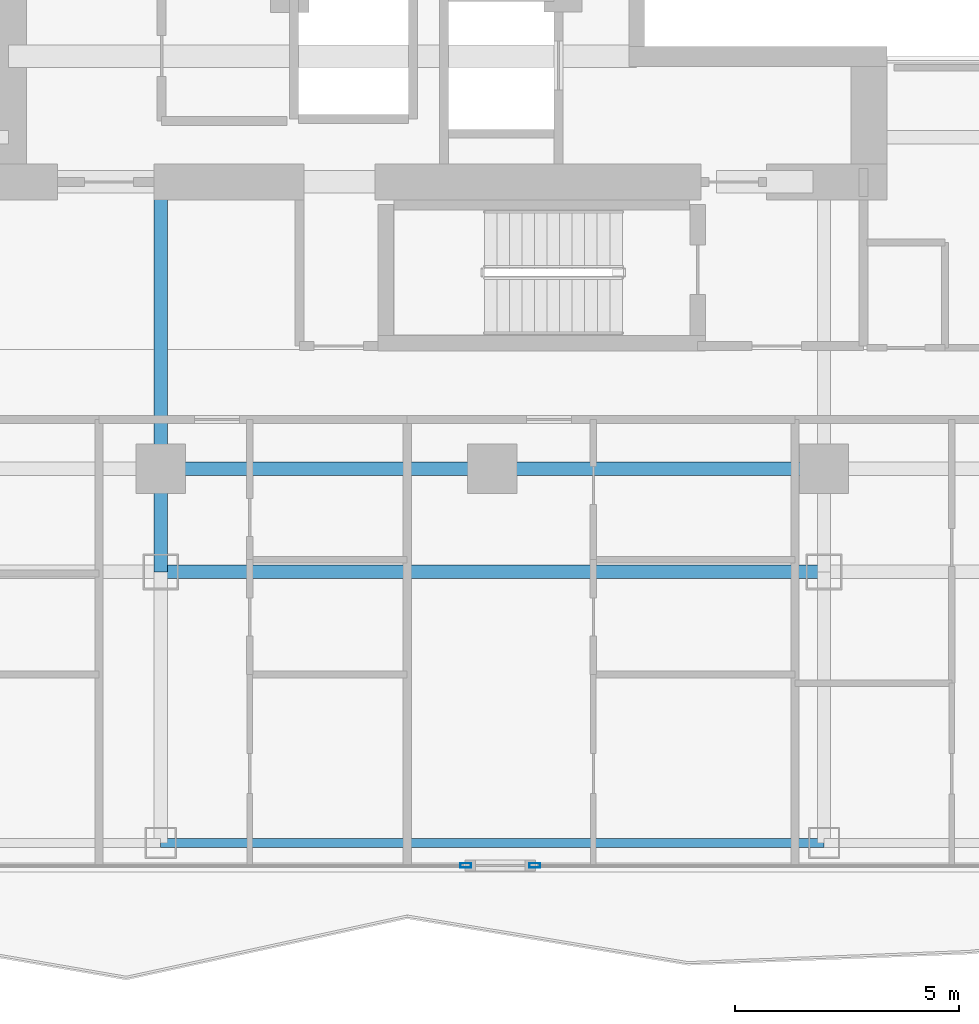
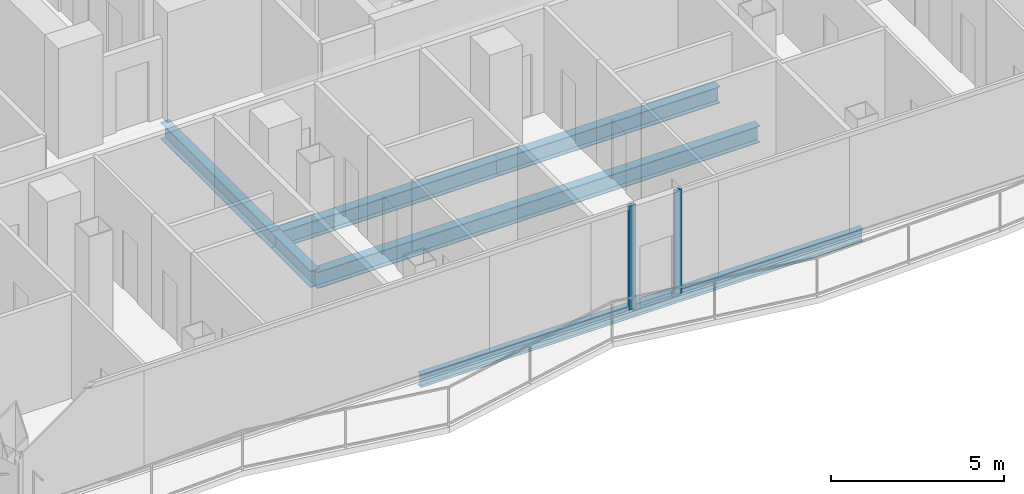
# One storey, part 4 of 25: 6 beams, 2 members, 2 elements without a shape of their own.
"""IFC4 building model written with IfcOpenShell, lengths in metres."""

import ifcopenshell
import ifcopenshell.guid

model = None  # the IFC model being written
_history = None  # IfcOwnerHistory: only IFC2X3 demands one
_inside = {}  # id of a spatial element -> (the spatial element, [elements in it])
_under = {}  # id of a project, library or spatial element -> (it, [spatial elements below it])
_declared = {}  # id of a project -> (the project, [libraries it declares])
_typed = {}  # id of a type object -> (the type object, [elements of that type])
_made_of = {}  # id of a material, layer set ... -> (it, [elements and type objects made of it])


def new_model(schema):
    """Start an empty IFC model of exactly this schema.

    Asked for "IFC4X3", IfcOpenShell would pick the latest addendum, in which some entities
    have other attributes; the version numbers below select the first issue.
    IFC2X3 requires an IfcOwnerHistory on every rooted entity: one is made here for all.
    """
    global model, _history
    if schema == "IFC4X3":
        model = ifcopenshell.file(schema_version=(4, 3, 0, 0))
    else:
        model = ifcopenshell.file(schema=schema)
    _inside.clear()
    _under.clear()
    _declared.clear()
    _typed.clear()
    _made_of.clear()
    _history = None
    if model.schema == "IFC2X3":
        org = make("IfcOrganization", Name="unknown")
        user = make(
            "IfcPersonAndOrganization",
            ThePerson=make("IfcPerson", FamilyName="unknown"),
            TheOrganization=org,
        )
        app = make(
            "IfcApplication",
            ApplicationDeveloper=org,
            Version="unknown",
            ApplicationFullName="unknown",
            ApplicationIdentifier="unknown",
        )
        _history = make(
            "IfcOwnerHistory",
            OwningUser=user,
            OwningApplication=app,
            ChangeAction="ADDED",
            CreationDate=0,
        )
    return model


def make(cls, **values):
    """One entity of the class cls with the attributes given. An attribute that is None is left unset."""
    return model.create_entity(
        cls, **{name: value for name, value in values.items() if value is not None}
    )


def rooted(cls, **values):
    """An entity with a GlobalId (a new one), such as an element, a storey or a relation."""
    return make(cls, GlobalId=ifcopenshell.guid.new(), OwnerHistory=_history, **values)


def si_unit(unit_type, name, prefix=None):
    """IfcSIUnit, for example si_unit("LENGTHUNIT", "METRE", prefix="MILLI")."""
    return make("IfcSIUnit", UnitType=unit_type, Prefix=prefix, Name=name)


def assignment(units):
    """IfcUnitAssignment: the units of a project."""
    return None if units is None else make("IfcUnitAssignment", Units=units)


def point(xyz):
    """IfcCartesianPoint."""
    return None if xyz is None else make("IfcCartesianPoint", Coordinates=xyz)


def direction(xyz):
    """IfcDirection."""
    return None if xyz is None else make("IfcDirection", DirectionRatios=xyz)


def frame(location, z_axis=None, x_axis=None):
    """IfcAxis2Placement3D, a coordinate frame: its origin and axes. An axis left out is left unset."""
    return make(
        "IfcAxis2Placement3D",
        Location=point(location),
        Axis=direction(z_axis),
        RefDirection=direction(x_axis),
    )


def frame_2d(location, x_axis=None):
    """IfcAxis2Placement2D, a coordinate frame in the plane: its origin and x axis."""
    return make(
        "IfcAxis2Placement2D", Location=point(location), RefDirection=direction(x_axis)
    )


def origin():
    """The frame at (0, 0, 0) with its axes left unset."""
    return frame((0.0, 0.0, 0.0))


def origin_2d():
    """The frame at (0, 0) in the plane with its x axis left unset."""
    return frame_2d((0.0, 0.0))


def place(relative_to, where):
    """IfcLocalPlacement: puts the frame where relative to a parent placement (None: the world)."""
    return make(
        "IfcLocalPlacement", PlacementRelTo=relative_to, RelativePlacement=where
    )


def context(
    kind, dimensions, precision=None, world=None, true_north=None, identifier=None
):
    """IfcGeometricRepresentationContext, for example the 3D "Model" context."""
    return make(
        "IfcGeometricRepresentationContext",
        ContextIdentifier=identifier,
        ContextType=kind,
        CoordinateSpaceDimension=dimensions,
        Precision=precision,
        WorldCoordinateSystem=world,
        TrueNorth=true_north,
    )


def subcontext(parent, identifier, kind, view, scale=None):
    """IfcGeometricRepresentationSubContext, for example "Body" below "Model"."""
    return make(
        "IfcGeometricRepresentationSubContext",
        ContextIdentifier=identifier,
        ContextType=kind,
        ParentContext=parent,
        TargetScale=scale,
        TargetView=view,
    )


def project(units=None, contexts=None):
    """IfcProject with its units and contexts."""
    return rooted(
        "IfcProject",
        Name="project",
        RepresentationContexts=contexts,
        UnitsInContext=assignment(units),
    )


def spatial(cls, under=None, at=None, **own):
    """A site, building, storey or space (cls), placed at a placement, below another one or the project."""
    s = rooted(cls, ObjectPlacement=at, **own)
    if under is not None:
        _under.setdefault(under.id(), (under, []))[1].append(s)
    return s


def profile(cls, at=None, kind="AREA", **sizes):
    """A parametric profile (cls). Its sizes go by their IFC names, for example OverallWidth=200.0."""
    return make(cls, ProfileType=kind, Position=at, **sizes)


def hollow_rectangle(**sizes):
    """IfcRectangleHollowProfileDef."""
    return profile("IfcRectangleHollowProfileDef", **sizes)


def i_section(**sizes):
    """IfcIShapeProfileDef."""
    return profile("IfcIShapeProfileDef", **sizes)


def extrude(swept, where, along, depth):
    """IfcExtrudedAreaSolid: the profile swept, set in the frame where, extruded along a direction by depth."""
    return make(
        "IfcExtrudedAreaSolid",
        SweptArea=swept,
        Position=where,
        ExtrudedDirection=direction(along),
        Depth=depth,
    )


def shape(context_of_items, identifier, shape_type, items):
    """IfcShapeRepresentation: the items that make up one representation, for example the "Body"."""
    return make(
        "IfcShapeRepresentation",
        ContextOfItems=context_of_items,
        RepresentationIdentifier=identifier,
        RepresentationType=shape_type,
        Items=items,
    )


def material(Name=None, Category=None):
    """IfcMaterial."""
    return make("IfcMaterial", Name=Name, Category=Category)


def layer(
    of_material, thickness, ventilated=None, Name=None, Category=None, Priority=None
):
    """IfcMaterialLayer: one layer of a wall or slab, of a material (None: an air gap)."""
    return make(
        "IfcMaterialLayer",
        Material=of_material,
        LayerThickness=thickness,
        IsVentilated=ventilated,
        Name=Name,
        Category=Category,
        Priority=Priority,
    )


def layer_set(layers, Name=None):
    """IfcMaterialLayerSet."""
    return make("IfcMaterialLayerSet", MaterialLayers=layers, LayerSetName=Name)


def material_profile(
    of_material, cross_section, Name=None, Category=None, Priority=None
):
    """IfcMaterialProfile: a cross section and its material."""
    return make(
        "IfcMaterialProfile",
        Name=Name,
        Material=of_material,
        Profile=cross_section,
        Priority=Priority,
        Category=Category,
    )


def profile_set(profiles, Name=None, composite=None):
    """IfcMaterialProfileSet."""
    return make(
        "IfcMaterialProfileSet",
        Name=Name,
        MaterialProfiles=profiles,
        CompositeProfile=composite,
    )


def made_of(thing, what):
    """Note that an element or type object is made of a material, layer set ...; save() writes the relation."""
    if what is not None:
        _made_of.setdefault(what.id(), (what, []))[1].append(thing)
    return thing


def type_object(cls, material=None, **own):
    """A type object (cls), such as IfcWallType, which elements share."""
    return made_of(rooted(cls, **own), material)


def element(
    cls,
    number,
    at=None,
    inside=None,
    cuts=None,
    type_object=None,
    material=None,
    context=None,
    identifier="Body",
    shape_type=None,
    held_by="IfcProductDefinitionShape",
    body=None,
    shapes=None,
    **own,
):
    """One element of the class cls, such as IfcWall. Its Tag is "e" and its number.

    at: its placement. inside: the storey or other place that contains it. cuts: it is an
    opening in that element (IfcRelVoidsElement). A single representation is given by context,
    identifier, shape_type and body (its items); several are given by shapes. held_by: the class
    of the entity that holds the representations. save() writes the other relations.
    """
    e = rooted(cls, Tag="e%d" % number, ObjectPlacement=at, **own)
    if body is not None:
        shapes = [shape(context, identifier, shape_type, body)]
    if shapes is not None:
        e.Representation = make(held_by, Representations=shapes)
    if inside is not None:
        _inside.setdefault(inside.id(), (inside, []))[1].append(e)
    if cuts is not None:
        rooted(
            "IfcRelVoidsElement", RelatingBuildingElement=cuts, RelatedOpeningElement=e
        )
    if type_object is not None:
        _typed.setdefault(type_object.id(), (type_object, []))[1].append(e)
    return made_of(e, material)


def aggregate(whole, parts):
    """IfcRelAggregates: a whole, such as a stair, and the parts it consists of."""
    return rooted("IfcRelAggregates", RelatingObject=whole, RelatedObjects=parts)


def save(model, path):
    """Write the relations noted so far, then the file.

    IfcRelAggregates (storeys below a building ...), IfcRelContainedInSpatialStructure (elements
    in a storey), IfcRelDefinesByType, IfcRelAssociatesMaterial and IfcRelDeclares: one each for
    every whole, place, type object, material and project.
    """
    for whole, parts in _under.values():
        aggregate(whole, parts)
    for where, things in _inside.values():
        rooted(
            "IfcRelContainedInSpatialStructure",
            RelatedElements=things,
            RelatingStructure=where,
        )
    for kind, things in _typed.values():
        rooted("IfcRelDefinesByType", RelatedObjects=things, RelatingType=kind)
    for what, things in _made_of.values():
        rooted("IfcRelAssociatesMaterial", RelatedObjects=things, RelatingMaterial=what)
    for by, libraries in _declared.values():
        rooted("IfcRelDeclares", RelatingContext=by, RelatedDefinitions=libraries)
    model.write(path)


model = new_model("IFC4")

# Units and contexts
model_context = context("Model", 3, precision=1e-05, world=origin(), true_north=direction((0.0, 1.0)))
body_context = subcontext(model_context, "Body", "Model", "MODEL_VIEW")
ifc_project = project(units=[si_unit("LENGTHUNIT", "METRE"), si_unit("AREAUNIT", "SQUARE_METRE"), si_unit("VOLUMEUNIT", "CUBIC_METRE"), si_unit("PLANEANGLEUNIT", "RADIAN"), si_unit("MASSUNIT", "GRAM", prefix="KILO")], contexts=[model_context])

# Site, building, storey
site_placement = place(None, origin())
site = spatial("IfcSite", under=ifc_project, at=site_placement, CompositionType="ELEMENT")
building_placement = place(site_placement, origin())
building = spatial("IfcBuilding", under=site, at=building_placement, Name="Khorvyn Point Tower", CompositionType="ELEMENT")
storey_placement = place(building_placement, frame((0.0, 0.0, 171.89990234375)))
storey = spatial("IfcBuildingStorey", under=building, at=storey_placement, Name="L42", CompositionType="ELEMENT", Elevation=171.89990234375)

# Curtain wall, member
ifc_material_1 = material(Name="Anodised aluminium 6063-T6 and laminated Low-E glass", Category="aluminium")
ifc_layer = layer(ifc_material_1, 0.18994140625)
ifc_layer_set = layer_set([ifc_layer], Name="Stick-Built Acoustic Curtain Wall CW-SYS-03")
curtain_wall_type = type_object("IfcCurtainWallType", Name="Stick-Built Acoustic Curtain Wall CW-SYS-03", PredefinedType="NOTDEFINED", material=ifc_layer_set)
curtain_wall_1_placement = place(storey_placement, origin())
curtain_wall_1 = element("IfcCurtainWall", 1, at=curtain_wall_1_placement, inside=storey, type_object=curtain_wall_type, Name="Curtain Wall", PredefinedType="NOTDEFINED")
ifc_material_2 = material(Name="Anodised aluminium 6063-T6", Category="aluminium")
ifc_material_profile_1 = material_profile(ifc_material_2, hollow_rectangle(XDim=0.10009765625, YDim=0.239990234375, WallThickness=0.0048828125, at=origin_2d()))
ifc_profile_set_1 = profile_set([ifc_material_profile_1], Name="Anodised aluminium 6063-T6 ALU-MUL-100x240")
member_type = type_object("IfcMemberType", Name="Anodised Aluminium 6063-T6 Mullion ALU-MUL-100x240", PredefinedType="MULLION", material=ifc_profile_set_1)
member_1_placement = place(storey_placement, frame((0.947021484375, -23.64990234375, 0.0), z_axis=(0.0, 0.0, 1.0), x_axis=(0.0, -1.0, 0.0)))
member_1 = element("IfcMember", 2, at=member_1_placement, type_object=member_type, Name="Transom", PredefinedType="MULLION", context=body_context, shape_type="SweptSolid", body=[
    extrude(hollow_rectangle(XDim=0.10009765625, YDim=0.239990234375, WallThickness=0.0048828125, at=origin_2d()), origin(), (0.0, 0.0, 1.0), 3.68017578125),
])
aggregate(curtain_wall_1, [member_1])

curtain_wall_2_placement = place(storey_placement, origin())
curtain_wall_2 = element("IfcCurtainWall", 3, at=curtain_wall_2_placement, inside=storey, type_object=curtain_wall_type, Name="Curtain Wall", PredefinedType="NOTDEFINED")
member_2_placement = place(storey_placement, frame((-0.593017578125, -23.64990234375, 0.0), z_axis=(0.0, 0.0, 1.0), x_axis=(0.0, -1.0, 0.0)))
member_2 = element("IfcMember", 4, at=member_2_placement, type_object=member_type, Name="Transom", PredefinedType="MULLION", context=body_context, shape_type="SweptSolid", body=[
    extrude(hollow_rectangle(XDim=0.10009765625, YDim=0.239990234375, WallThickness=0.0048828125, at=origin_2d()), origin(), (0.0, 0.0, 1.0), 3.68017578125),
])
aggregate(curtain_wall_2, [member_2])

# Beams
ifc_material_3 = material(Name="Steel S355", Category="steel")
ifc_material_profile_2 = material_profile(ifc_material_3, i_section(OverallWidth=0.300048828125, OverallDepth=0.587890625, WebThickness=0.011962890625, FlangeThickness=0.02001953125, at=origin_2d()))
ifc_profile_set_2 = profile_set([ifc_material_profile_2], Name="Steel S355 H588x300x12x20")
beam_type_1 = type_object("IfcBeamType", Name="Steel S355 Beam H588x300x12x20", PredefinedType="BEAM", material=ifc_profile_set_2)
for number, where, z_axis, x_axis, name in (
    (5, (-7.39990234375, -14.800048828125, -0.513916015625), (1.0, 0.0, 0.0), (0.0, 1.0, 0.0), "Beam"),
    (6, (0.0, -14.800048828125, -0.513916015625), (1.0, 0.0, 0.0), (0.0, 1.0, 0.0), "Beam"),
):
    element("IfcBeam", number, at=place(storey_placement, frame(where, z_axis=z_axis, x_axis=x_axis)), inside=storey, type_object=beam_type_1, Name=name, PredefinedType="BEAM", context=body_context, shape_type="SweptSolid", body=[
        extrude(i_section(OverallWidth=0.300048828125, OverallDepth=0.587890625, WebThickness=0.011962890625, FlangeThickness=0.02001953125, at=origin_2d()), origin(), (0.0, 0.0, 1.0), 7.39990234375),
    ])
beam_1_placement = place(storey_placement, frame((-7.39990234375, -17.10009765625, -0.513916015625), z_axis=(1.0, 0.0, 0.0), x_axis=(0.0, 1.0, 0.0)))
element("IfcBeam", 7, at=beam_1_placement, inside=storey, type_object=beam_type_1, Name="Beam", PredefinedType="BEAM", context=body_context, shape_type="SweptSolid", body=[
    extrude(i_section(OverallWidth=0.300048828125, OverallDepth=0.587890625, WebThickness=0.011962890625, FlangeThickness=0.02001953125, at=origin_2d()), origin(), (0.0, 0.0, 1.0), 14.7998046875),
])
beam_2_placement = place(storey_placement, frame((-7.39990234375, -17.10009765625, -0.513916015625), z_axis=(0.0, 1.0, 0.0), x_axis=(-1.0, 0.0, 0.0)))
element("IfcBeam", 8, at=beam_2_placement, inside=storey, type_object=beam_type_1, Name="Beam", PredefinedType="BEAM", context=body_context, shape_type="SweptSolid", body=[
    extrude(i_section(OverallWidth=0.300048828125, OverallDepth=0.587890625, WebThickness=0.011962890625, FlangeThickness=0.02001953125, at=origin_2d()), origin(), (0.0, 0.0, 1.0), 2.300048828125),
])
beam_3_placement = place(storey_placement, frame((-7.39990234375, -14.800048828125, -0.513916015625), z_axis=(0.0, 1.0, 0.0), x_axis=(-1.0, 0.0, 0.0)))
element("IfcBeam", 9, at=beam_3_placement, inside=storey, type_object=beam_type_1, Name="Beam", PredefinedType="BEAM", context=body_context, shape_type="SweptSolid", body=[
    extrude(i_section(OverallWidth=0.300048828125, OverallDepth=0.587890625, WebThickness=0.011962890625, FlangeThickness=0.02001953125, at=origin_2d()), origin(), (0.0, 0.0, 1.0), 6.400146484375),
])
ifc_material_profile_3 = material_profile(ifc_material_3, i_section(OverallWidth=0.199951171875, OverallDepth=0.449951171875, WebThickness=0.009033203125, FlangeThickness=0.013916015625, at=origin_2d()))
ifc_profile_set_3 = profile_set([ifc_material_profile_3], Name="Steel S355 H450x200x9x14")
beam_type_2 = type_object("IfcBeamType", Name="Steel S355 Spandrel H450x200x9x14", PredefinedType="SPANDREL", material=ifc_profile_set_3)
beam_4_placement = place(storey_placement, frame((-7.39990234375, -23.14990234375, -0.44482421875), z_axis=(1.0, 0.0, 0.0), x_axis=(0.0, 1.0, 0.0)))
element("IfcBeam", 10, at=beam_4_placement, inside=storey, type_object=beam_type_2, Name="Beam", PredefinedType="SPANDREL", context=body_context, shape_type="SweptSolid", body=[
    extrude(i_section(OverallWidth=0.199951171875, OverallDepth=0.449951171875, WebThickness=0.009033203125, FlangeThickness=0.013916015625, at=origin_2d()), origin(), (0.0, 0.0, 1.0), 14.7998046875),
])

save(model, "model.ifc")
